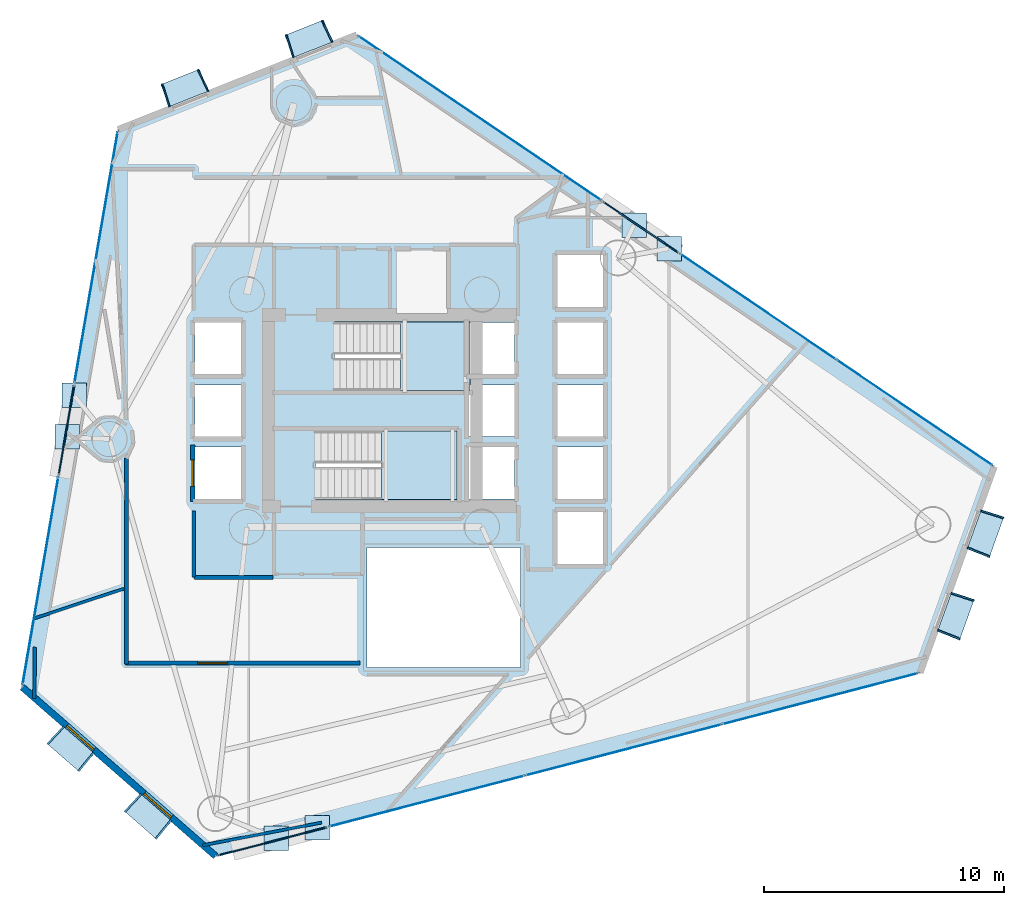
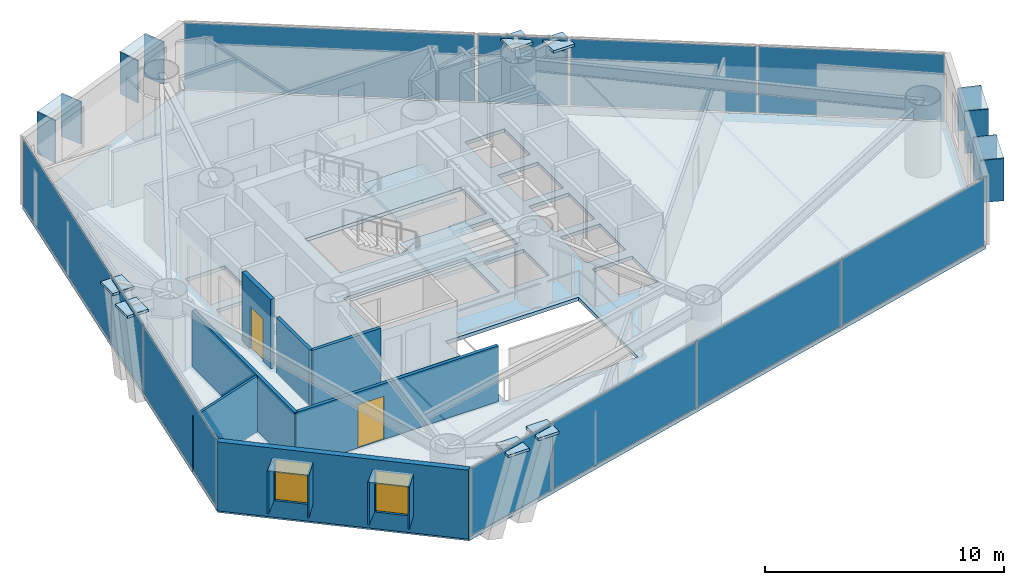
# One storey, part 15 of 21: 35 plates, 9 walls, 3 slabs, 2 doors, 2 windows, 4 openings, 10 elements without a shape of their own.
"""IFC4 building model written with IfcOpenShell, lengths in metres."""

from ifc_helpers import new_model, si_unit, direction, frame, frame_2d, origin, origin_2d, place, context, subcontext, project, spatial, polyline, rectangle, outline, extrude, material, layer, layer_set, type_object, element, fill, aggregate, save


model = new_model("IFC4")

# Units and contexts
model_context = context("Model", 3, precision=1e-05, world=origin(), true_north=direction((0.0, 1.0)))
body_context = subcontext(model_context, "Body", "Model", "MODEL_VIEW")
ifc_project = project(units=[si_unit("LENGTHUNIT", "METRE"), si_unit("AREAUNIT", "SQUARE_METRE"), si_unit("VOLUMEUNIT", "CUBIC_METRE"), si_unit("PLANEANGLEUNIT", "RADIAN"), si_unit("MASSUNIT", "GRAM", prefix="KILO")], contexts=[model_context])

# Site, building, storey
site_placement = place(None, origin())
site = spatial("IfcSite", under=ifc_project, at=site_placement, CompositionType="ELEMENT")
building_placement = place(site_placement, origin())
building = spatial("IfcBuilding", under=site, at=building_placement, Name="Qianvela Tower", CompositionType="ELEMENT")
storey_placement = place(building_placement, frame((0.0, 0.0, 105.199951171875)))
storey = spatial("IfcBuildingStorey", under=building, at=storey_placement, Name="L26", CompositionType="ELEMENT", Elevation=105.199951171875)

# Curtain wall, plate
ifc_material_1 = material(Name="Anodised Architectural Aluminium and Insulated Spandrel Panel", Category="aluminium")
ifc_layer_1 = layer(ifc_material_1, 0.179931640625)
ifc_layer_set_1 = layer_set([ifc_layer_1], Name="Anodised Architectural Aluminium and Insulated Spandrel Panel")
curtain_wall_type_1 = type_object("IfcCurtainWallType", Name="CW-BRACEBAY", PredefinedType="USERDEFINED", material=ifc_layer_set_1)
curtain_wall_1_placement = place(storey_placement, origin())
curtain_wall_1 = element("IfcCurtainWall", 1, at=curtain_wall_1_placement, inside=storey, type_object=curtain_wall_type_1, Name="L26 CW-BRACEBAY Curtain Wall 02B", ObjectType="CURTAIN_WALL_SYSTEM", PredefinedType="USERDEFINED")
ifc_material_2 = material(Name="Insulated Aluminium Spandrel Panel with Mineral-Wool Backpan", Category="aluminium")
ifc_layer_2 = layer(ifc_material_2, 0.06005859375)
ifc_layer_set_2 = layer_set([ifc_layer_2], Name="Insulated Aluminium Spandrel Panel with Mineral-Wool Backpan")
plate_type_1 = type_object("IfcPlateType", Name="CW-BRACEBAY-PNL", PredefinedType="CURTAIN_PANEL", material=ifc_layer_set_2)
plate_1_placement = place(storey_placement, frame((45.01806640625, 36.347412109375, 0.06494140625), z_axis=(0.0, 0.0, 1.0), x_axis=(-0.827935676106, 0.560823070345, 0.0)))
plate_1 = element("IfcPlate", 2, at=plate_1_placement, type_object=plate_type_1, Name="CW-9 panel 1.1", PredefinedType="CURTAIN_PANEL", context=body_context, shape_type="SweptSolid", body=[
    extrude(rectangle(XDim=3.75, YDim=0.06005859375, at=origin_2d()), origin(), (0.0, 0.0, 1.0), 3.389892578125),
])
aggregate(curtain_wall_1, [plate_1])

curtain_wall_2_placement = place(storey_placement, origin())
curtain_wall_2 = element("IfcCurtainWall", 3, at=curtain_wall_2_placement, inside=storey, type_object=curtain_wall_type_1, Name="L26 CW-BRACEBAY Curtain Wall 04B", ObjectType="CURTAIN_WALL_SYSTEM", PredefinedType="USERDEFINED")
plate_2_placement = place(storey_placement, frame((21.083984375, 27.8994140625, 0.06494140625), z_axis=(0.0, 0.0, 1.0), x_axis=(-0.169512472737, -0.985528042009, 0.0)))
plate_2 = element("IfcPlate", 4, at=plate_2_placement, type_object=plate_type_1, Name="CW-9 panel 1.1", PredefinedType="CURTAIN_PANEL", context=body_context, shape_type="SweptSolid", body=[
    extrude(rectangle(XDim=3.75, YDim=0.06005859375, at=origin_2d()), origin(), (0.0, 0.0, 1.0), 3.389892578125),
])
aggregate(curtain_wall_2, [plate_2])

curtain_wall_3_placement = place(storey_placement, origin())
curtain_wall_3 = element("IfcCurtainWall", 5, at=curtain_wall_3_placement, inside=storey, type_object=curtain_wall_type_1, Name="L26 CW-BRACEBAY Curtain Wall 06A", ObjectType="CURTAIN_WALL_SYSTEM", PredefinedType="USERDEFINED")
plate_3_placement = place(storey_placement, frame((29.667236328125, 10.751220703125, 0.06494140625), z_axis=(0.0, 0.0, 1.0), x_axis=(0.967742635152, 0.251940850417, 0.0)))
plate_3 = element("IfcPlate", 6, at=plate_3_placement, type_object=plate_type_1, Name="CW-9 panel 1.1", PredefinedType="CURTAIN_PANEL", context=body_context, shape_type="SweptSolid", body=[
    extrude(rectangle(XDim=4.659912109375, YDim=0.06005859375, at=origin_2d()), origin(), (0.0, 0.0, 1.0), 3.389892578125),
])
aggregate(curtain_wall_3, [plate_3])

# Curtain wall, plates
ifc_material_3 = material(Name="Anodised Architectural Aluminium and Low-E Glass", Category="aluminium")
ifc_layer_3 = layer(ifc_material_3, 0.169921875)
ifc_layer_set_3 = layer_set([ifc_layer_3], Name="Anodised Architectural Aluminium and Low-E Glass")
curtain_wall_type_2 = type_object("IfcCurtainWallType", Name="CW-COLIV-Z34", PredefinedType="USERDEFINED", material=ifc_layer_set_3)
curtain_wall_4_placement = place(storey_placement, origin())
curtain_wall_4 = element("IfcCurtainWall", 7, at=curtain_wall_4_placement, inside=storey, type_object=curtain_wall_type_2, Name="L26 CW-COLIV-Z34 Curtain Wall 02A", ObjectType="CURTAIN_WALL_SYSTEM", PredefinedType="USERDEFINED")
ifc_material_4 = material(Name="Double-Silver Low-E Insulated Glass", Category="glass")
ifc_layer_4 = layer(ifc_material_4, 0.028076171875)
ifc_layer_set_4 = layer_set([ifc_layer_4], Name="Double-Silver Low-E Insulated Glass")
plate_type_2 = type_object("IfcPlateType", Name="CW-COLIV-Z34-PNL", PredefinedType="CURTAIN_PANEL", material=ifc_layer_set_4)
plate_4_placement = place(storey_placement, frame((56.421875, 28.622802734375, 0.06494140625), z_axis=(0.0, 0.0, 1.0), x_axis=(-0.827933194748, 0.560826733524, 0.0)))
plate_4 = element("IfcPlate", 8, at=plate_4_placement, type_object=plate_type_2, Name="CW-4 panel 1.1", PredefinedType="CURTAIN_PANEL", context=body_context, shape_type="SweptSolid", body=[
    extrude(rectangle(XDim=7.802490234375, YDim=0.028076171875, at=origin_2d()), origin(), (0.0, 0.0, 1.0), 3.389892578125),
])
plate_5_placement = place(storey_placement, frame((49.908203125, 33.03515625, 0.06494140625), z_axis=(0.0, 0.0, 1.0), x_axis=(-0.827933194748, 0.560826733524, 0.0)))
plate_5 = element("IfcPlate", 9, at=plate_5_placement, type_object=plate_type_2, Name="CW-4 panel 2.1", PredefinedType="CURTAIN_PANEL", context=body_context, shape_type="SweptSolid", body=[
    extrude(rectangle(XDim=7.802490234375, YDim=0.028076171875, at=origin_2d()), origin(), (0.0, 0.0, 1.0), 3.389892578125),
])
aggregate(curtain_wall_4, [plate_4, plate_5])

# Curtain wall, plate
curtain_wall_5_placement = place(storey_placement, origin())
curtain_wall_5 = element("IfcCurtainWall", 10, at=curtain_wall_5_placement, inside=storey, type_object=curtain_wall_type_2, Name="L26 CW-COLIV-Z34 Curtain Wall 02C", ObjectType="CURTAIN_WALL_SYSTEM", PredefinedType="USERDEFINED")
plate_6_placement = place(storey_placement, frame((38.32080078125, 40.884033203125, 0.06494140625), z_axis=(0.0, 0.0, 1.0), x_axis=(-0.827933305316, 0.560826570295, 0.0)))
plate_6 = element("IfcPlate", 11, at=plate_6_placement, type_object=plate_type_2, Name="CW-4 panel 1.1", PredefinedType="CURTAIN_PANEL", context=body_context, shape_type="SweptSolid", body=[
    extrude(rectangle(XDim=12.16845703125, YDim=0.028076171875, at=origin_2d()), origin(), (0.0, 0.0, 1.0), 3.389892578125),
])
aggregate(curtain_wall_5, [plate_6])

curtain_wall_6_placement = place(storey_placement, origin())
curtain_wall_6 = element("IfcCurtainWall", 12, at=curtain_wall_6_placement, inside=storey, type_object=curtain_wall_type_2, Name="L26 CW-COLIV-Z34 Curtain Wall 04A", ObjectType="CURTAIN_WALL_SYSTEM", PredefinedType="USERDEFINED")
plate_7_placement = place(storey_placement, frame((22.320556640625, 35.0888671875, 0.06494140625), z_axis=(0.0, 0.0, 1.0), x_axis=(-0.169523566874, -0.985526133735, 0.0)))
plate_7 = element("IfcPlate", 13, at=plate_7_placement, type_object=plate_type_2, Name="CW-4 panel 1.1", PredefinedType="CURTAIN_PANEL", context=body_context, shape_type="SweptSolid", body=[
    extrude(rectangle(XDim=10.580078125, YDim=0.028076171875, at=origin_2d()), origin(), (0.0, 0.0, 1.0), 3.389892578125),
])
aggregate(curtain_wall_6, [plate_7])

curtain_wall_7_placement = place(storey_placement, origin())
curtain_wall_7 = element("IfcCurtainWall", 14, at=curtain_wall_7_placement, inside=storey, type_object=curtain_wall_type_2, Name="L26 CW-COLIV-Z34 Curtain Wall 04C", ObjectType="CURTAIN_WALL_SYSTEM", PredefinedType="USERDEFINED")
plate_8_placement = place(storey_placement, frame((20.001708984375, 21.60791015625, 0.06494140625), z_axis=(0.0, 0.0, 1.0), x_axis=(-0.16951996254, -0.985526753721, 0.0)))
plate_8 = element("IfcPlate", 15, at=plate_8_placement, type_object=plate_type_2, Name="CW-4 panel 1.1", PredefinedType="CURTAIN_PANEL", context=body_context, shape_type="SweptSolid", body=[
    extrude(rectangle(XDim=8.758056640625, YDim=0.028076171875, at=origin_2d()), origin(), (0.0, 0.0, 1.0), 3.389892578125),
])
aggregate(curtain_wall_7, [plate_8])

# Curtain wall, plates
curtain_wall_8_placement = place(storey_placement, origin())
curtain_wall_8 = element("IfcCurtainWall", 16, at=curtain_wall_8_placement, inside=storey, type_object=curtain_wall_type_2, Name="L26 CW-COLIV-Z34 Curtain Wall 06B", ObjectType="CURTAIN_WALL_SYSTEM", PredefinedType="USERDEFINED")
plate_9_placement = place(storey_placement, frame((36.1044921875, 12.42724609375, 0.06494140625), z_axis=(0.0, 0.0, 1.0), x_axis=(0.96774019745, 0.25195021381, 0.0)))
plate_9 = element("IfcPlate", 17, at=plate_9_placement, type_object=plate_type_2, Name="CW-4 panel 1.1", PredefinedType="CURTAIN_PANEL", context=body_context, shape_type="SweptSolid", body=[
    extrude(rectangle(XDim=8.3837890625, YDim=0.028076171875, at=origin_2d()), origin(), (0.0, 0.0, 1.0), 3.389892578125),
])
plate_10_placement = place(storey_placement, frame((44.29638671875, 14.559814453125, 0.06494140625), z_axis=(0.0, 0.0, 1.0), x_axis=(0.96774019745, 0.25195021381, 0.0)))
plate_10 = element("IfcPlate", 18, at=plate_10_placement, type_object=plate_type_2, Name="CW-4 panel 2.1", PredefinedType="CURTAIN_PANEL", context=body_context, shape_type="SweptSolid", body=[
    extrude(rectangle(XDim=8.416259765625, YDim=0.028076171875, at=origin_2d()), origin(), (0.0, 0.0, 1.0), 3.389892578125),
])
plate_11_placement = place(storey_placement, frame((52.488525390625, 16.692626953125, 0.06494140625), z_axis=(0.0, 0.0, 1.0), x_axis=(0.96774019745, 0.25195021381, 0.0)))
plate_11 = element("IfcPlate", 19, at=plate_11_placement, type_object=plate_type_2, Name="CW-4 panel 3.1", PredefinedType="CURTAIN_PANEL", context=body_context, shape_type="SweptSolid", body=[
    extrude(rectangle(XDim=8.3837890625, YDim=0.028076171875, at=origin_2d()), origin(), (0.0, 0.0, 1.0), 3.389892578125),
])
aggregate(curtain_wall_8, [plate_9, plate_10, plate_11])

# Plates
ifc_material_5 = material(Name="Steel Q420GJC", Category="steel")
ifc_layer_5 = layer(ifc_material_5, 0.1298828125)
ifc_layer_set_5 = layer_set([ifc_layer_5], Name="Steel Q420GJC")
plate_type_3 = type_object("IfcPlateType", Name="PT-ENDCAP-130", PredefinedType="USERDEFINED", material=ifc_layer_set_5)
for number, where, z_axis, x_axis, name in (
    (20, (46.202392578125, 35.448486328125, 3.209716796875), (0.0, 0.0, 1.0), (1.0, 0.0, 0.0), "L26 Hollow Section End Cap Plate B"),
    (21, (44.751220703125, 36.431640625, 3.209716796875), (0.0, 0.0, 1.0), (1.0, 0.0, 0.0), "L26 Hollow Section End Cap Plate B"),
    (22, (21.413330078125, 29.343017578125, 3.209716796875), (0.0, 0.0, 1.0), (1.0, 0.0, 0.0), "L26 Hollow Section End Cap Plate B"),
    (23, (21.1162109375, 27.61572265625, 3.209716796875), (0.0, 0.0, 1.0), (1.0, 0.0, 0.0), "L26 Hollow Section End Cap Plate B"),
    (24, (29.83056640625, 10.87646484375, 3.208984375), (0.0, 0.0, 1.0), (1.0, 0.0, 0.0), "L26 Hollow Section End Cap Plate B"),
    (25, (31.526611328125, 11.318115234375, 3.208984375), (0.0, 0.0, 1.0), (1.0, 0.0, 0.0), "L26 Hollow Section End Cap Plate B"),
):
    element("IfcPlate", number, at=place(storey_placement, frame(where, z_axis=z_axis, x_axis=x_axis)), inside=storey, type_object=plate_type_3, Name=name, ObjectType="END_CAP", PredefinedType="USERDEFINED", context=body_context, shape_type="SweptSolid", body=[
        extrude(rectangle(XDim=1.02001953125, YDim=1.02001953125, at=origin_2d()), origin(), (0.0, 0.0, 1.0), 0.1298828125),
    ])

# Slab
ifc_material_6 = material(Name="Concrete C40", Category="concrete")
ifc_layer_6 = layer(ifc_material_6, 0.179931640625)
ifc_layer_set_6 = layer_set([ifc_layer_6], Name="Concrete C40")
slab_type_1 = type_object("IfcSlabType", Name="SL-FLOOR-180", PredefinedType="FLOOR", material=ifc_layer_set_6)
slab_1_placement = place(storey_placement, frame((0.0, 0.0, -0.179931640625)))
element("IfcSlab", 26, at=slab_1_placement, inside=storey, type_object=slab_type_1, Name="L26 Composite Structural Floor Slab", PredefinedType="FLOOR", context=body_context, shape_type="SweptSolid", body=[
    extrude(outline(polyline([(56.656494140625, 17.77783203125), (59.7470703125, 26.370361328125), (33.188232421875, 44.36083984375), (23.23681640625, 40.41552734375), (19.239990234375, 17.1787109375), (27.301025390625, 10.13525390625), (56.656494140625, 17.77783203125)]), holes=[polyline([(40.0, 23.0), (33.60009765625, 23.0), (33.60009765625, 18.0), (40.0, 18.0), (40.0, 23.0)]), polyline([(28.360107421875, 25.02001953125), (28.360107421875, 27.179931640625), (26.43994140625, 27.179931640625), (26.43994140625, 25.02001953125), (28.360107421875, 25.02001953125)]), polyline([(37.35009765625, 25.0), (37.35009765625, 27.860107421875), (31.469970703125, 27.860107421875), (31.469970703125, 25.0), (37.35009765625, 25.0)]), polyline([(28.360107421875, 27.6201171875), (28.360107421875, 29.780029296875), (26.43994140625, 29.780029296875), (26.43994140625, 27.6201171875), (28.360107421875, 27.6201171875)]), polyline([(37.89990234375, 32.3798828125), (37.89990234375, 32.39990234375), (32.25, 32.39990234375), (32.25, 29.5400390625), (37.840087890625, 29.5400390625), (37.840087890625, 27.6201171875), (39.760009765625, 27.6201171875), (39.760009765625, 29.780029296875), (37.89990234375, 29.780029296875), (37.89990234375, 30.219970703125), (39.760009765625, 30.219970703125), (39.760009765625, 32.3798828125), (37.89990234375, 32.3798828125)]), polyline([(28.360107421875, 30.219970703125), (28.360107421875, 32.3798828125), (26.43994140625, 32.3798828125), (26.43994140625, 30.219970703125), (28.360107421875, 30.219970703125)]), polyline([(43.4599609375, 24.47998046875), (41.5400390625, 24.47998046875), (41.5400390625, 22.320068359375), (43.4599609375, 22.320068359375), (43.4599609375, 24.47998046875)]), polyline([(39.760009765625, 25.02001953125), (39.760009765625, 27.179931640625), (37.840087890625, 27.179931640625), (37.840087890625, 25.02001953125), (39.760009765625, 25.02001953125)]), polyline([(43.4599609375, 25.02001953125), (43.4599609375, 27.179931640625), (41.5400390625, 27.179931640625), (41.5400390625, 25.02001953125), (43.4599609375, 25.02001953125)]), polyline([(43.4599609375, 27.6201171875), (43.4599609375, 29.780029296875), (41.5400390625, 29.780029296875), (41.5400390625, 27.6201171875), (43.4599609375, 27.6201171875)]), polyline([(43.4599609375, 30.219970703125), (43.4599609375, 32.3798828125), (41.5400390625, 32.3798828125), (41.5400390625, 30.219970703125), (43.4599609375, 30.219970703125)]), polyline([(43.4599609375, 33.02001953125), (43.4599609375, 35.179931640625), (41.5400390625, 35.179931640625), (41.5400390625, 33.02001953125), (43.4599609375, 33.02001953125)])]), origin(), (0.0, 0.0, 1.0), 0.179931640625),
])

# Stair, slab
ifc_material_7 = material(Name="Concrete C40", Category="concrete")
stair_type = type_object("IfcStairType", Name="ST-DOGLEG-1350-R168-N22", PredefinedType="HALF_TURN_STAIR", material=ifc_material_7)
stair_1_placement = place(storey_placement, origin())
stair_1 = element("IfcStair", 27, at=stair_1_placement, inside=storey, type_object=stair_type, Name="L26 Smoke-Proof Core Stair ST-1", PredefinedType="HALF_TURN_STAIR")
ifc_material_8 = material(Name="Concrete C40", Category="concrete")
ifc_layer_7 = layer(ifc_material_8, 0.199951171875)
ifc_layer_set_7 = layer_set([ifc_layer_7], Name="Concrete C40")
slab_type_2 = type_object("IfcSlabType", Name="SL-STAIR-LANDING-200", PredefinedType="LANDING", material=ifc_layer_set_7)
slab_2_placement = place(storey_placement, frame((0.0, 0.0, 1.650146484375)))
slab_2 = element("IfcSlab", 28, at=slab_2_placement, type_object=slab_type_2, Name="ST-1 landing 1", PredefinedType="LANDING", context=body_context, shape_type="SweptSolid", body=[
    extrude(outline(polyline([(35.0, 29.5400390625), (37.89990234375, 29.5400390625), (37.89990234375, 32.39990234375), (35.0, 32.39990234375), (35.0, 29.5400390625)])), origin(), (0.0, 0.0, 1.0), 0.199951171875),
])
aggregate(stair_1, [slab_2])

stair_2_placement = place(storey_placement, origin())
stair_2 = element("IfcStair", 29, at=stair_2_placement, inside=storey, type_object=stair_type, Name="L26 Smoke-Proof Core Stair ST-2", PredefinedType="HALF_TURN_STAIR")
slab_3_placement = place(storey_placement, frame((0.0, 0.0, 1.650146484375)))
slab_3 = element("IfcSlab", 30, at=slab_3_placement, type_object=slab_type_2, Name="ST-2 landing 1", PredefinedType="LANDING", context=body_context, shape_type="SweptSolid", body=[
    extrude(outline(polyline([(34.219970703125, 25.0), (37.35009765625, 25.0), (37.35009765625, 27.860107421875), (34.219970703125, 27.860107421875), (34.219970703125, 25.0)])), origin(), (0.0, 0.0, 1.0), 0.199951171875),
])
aggregate(stair_2, [slab_3])

# Plates
ifc_material_9 = material(Name="Vitrified Architectural Terracotta Panel", Category="masonry")
ifc_layer_8 = layer(ifc_material_9, 0.06005859375)
ifc_layer_set_8 = layer_set([ifc_layer_8], Name="Vitrified Architectural Terracotta Panel")
plate_type_4 = type_object("IfcPlateType", Name="TERRACOTTA-SUNSHADE-HOOD-FOLD-A", PredefinedType="USERDEFINED", material=ifc_layer_set_8)
for number, where, z_axis, x_axis, name in (
    (31, (31.17333984375, 44.2021484375, 2.9599609375), (0.0, 0.0, 1.0), (-0.929609983774, -0.368544811479, 0.0), "L26 Terracotta Sunshade Hood FOLD-A"),
    (32, (26.0029296875, 42.15234375, 2.9599609375), (0.0, 0.0, 1.0), (-0.929609983774, -0.368544811479, 0.0), "L26 Terracotta Sunshade Hood FOLD-A"),
):
    element("IfcPlate", number, at=place(storey_placement, frame(where, z_axis=z_axis, x_axis=x_axis)), inside=storey, type_object=plate_type_4, Name=name, ObjectType="SUNSHADE", PredefinedType="USERDEFINED", context=body_context, shape_type="SweptSolid", body=[
        extrude(rectangle(XDim=1.739990234375, YDim=0.989990234375, at=origin_2d()), origin(), (0.0, 0.0, 1.0), 0.06005859375),
    ])
ifc_material_10 = material(Name="Vitrified Architectural Terracotta Panel", Category="masonry")
ifc_layer_9 = layer(ifc_material_10, 0.070068359375)
ifc_layer_set_9 = layer_set([ifc_layer_9], Name="Vitrified Architectural Terracotta Panel")
plate_type_5 = type_object("IfcPlateType", Name="TERRACOTTA-SUNSHADE-HOOD-FOLD-C", PredefinedType="USERDEFINED", material=ifc_layer_set_9)
for number, where, z_axis, x_axis, name in (
    (33, (58.1435546875, 20.154296875, 2.9599609375), (0.0, 0.0, 1.0), (0.338463667357, 0.940979460923, 0.0), "L26 Terracotta Sunshade Hood FOLD-C"),
    (34, (59.3798828125, 23.59130859375, 2.9599609375), (0.0, 0.0, 1.0), (0.338463667357, 0.940979460923, 0.0), "L26 Terracotta Sunshade Hood FOLD-C"),
    (35, (21.2666015625, 14.61767578125, 2.9599609375), (0.0, 0.0, 1.0), (0.753033078035, -0.657982661919, 0.0), "L26 Terracotta Sunshade Hood FOLD-C"),
    (36, (24.4912109375, 11.80029296875, 2.9599609375), (0.0, 0.0, 1.0), (0.753033078035, -0.657982661919, 0.0), "L26 Terracotta Sunshade Hood FOLD-C"),
):
    element("IfcPlate", number, at=place(storey_placement, frame(where, z_axis=z_axis, x_axis=x_axis)), inside=storey, type_object=plate_type_5, Name=name, ObjectType="SUNSHADE", PredefinedType="USERDEFINED", context=body_context, shape_type="SweptSolid", body=[
        extrude(rectangle(XDim=1.739990234375, YDim=0.989990234375, at=origin_2d()), origin(), (0.0, 0.0, 1.0), 0.06005859375),
    ])
ifc_material_11 = material(Name="Vitrified Architectural Terracotta Side Fin Panel", Category="masonry")
ifc_layer_10 = layer(ifc_material_11, 0.06494140625)
ifc_layer_set_10 = layer_set([ifc_layer_10], Name="Vitrified Architectural Terracotta Side Fin Panel")
plate_type_6 = type_object("IfcPlateType", Name="TERRACOTTA-SUNSHADE-STRUT-FOLD-A", PredefinedType="USERDEFINED", material=ifc_layer_set_10)
for number, where, z_axis, x_axis, name in (
    (37, (31.954345703125, 44.51171875, 0.85009765625), (0.0, 0.0, 1.0), (-0.90163711411, -0.432493369266, 0.0), "L26 Terracotta Sunshade Side Fin HL FOLD-A"),
    (38, (30.392578125, 43.892578125, 0.85009765625), (0.0, 0.0, 1.0), (-0.953053887041, -0.302800740415, 0.0), "L26 Terracotta Sunshade Side Fin HR FOLD-A"),
    (39, (26.783935546875, 42.4619140625, 0.85009765625), (0.0, 0.0, 1.0), (-0.90163711411, -0.432493369266, 0.0), "L26 Terracotta Sunshade Side Fin HL FOLD-A"),
    (40, (25.22216796875, 41.8427734375, 0.85009765625), (0.0, 0.0, 1.0), (-0.953053887041, -0.302800740415, 0.0), "L26 Terracotta Sunshade Side Fin HR FOLD-A"),
):
    element("IfcPlate", number, at=place(storey_placement, frame(where, z_axis=z_axis, x_axis=x_axis)), inside=storey, type_object=plate_type_6, Name=name, ObjectType="SUNSHADE", PredefinedType="USERDEFINED", context=body_context, shape_type="SweptSolid", body=[
        extrude(rectangle(XDim=0.06494140625, YDim=1.010009765625, at=origin_2d()), origin(), (0.0, 0.0, 1.0), 2.159912109375),
    ])
ifc_material_12 = material(Name="Vitrified Architectural Terracotta Side Fin Panel", Category="masonry")
ifc_layer_11 = layer(ifc_material_12, 0.074951171875)
ifc_layer_set_11 = layer_set([ifc_layer_11], Name="Vitrified Architectural Terracotta Side Fin Panel")
plate_type_7 = type_object("IfcPlateType", Name="TERRACOTTA-SUNSHADE-STRUT-FOLD-C", PredefinedType="USERDEFINED", material=ifc_layer_set_11)
for number, where, z_axis, x_axis, name in (
    (41, (57.859130859375, 19.36376953125, 0.85009765625), (0.0, 0.0, 1.0), (0.371097194029, 0.928594030017, 0.0), "L26 Terracotta Sunshade Side Fin HL FOLD-C"),
    (42, (58.427734375, 20.944580078125, 0.85009765625), (0.0, 0.0, 1.0), (0.305417774842, 0.952218453303, 0.0), "L26 Terracotta Sunshade Side Fin HR FOLD-C"),
    (43, (59.095458984375, 22.80078125, 0.85009765625), (0.0, 0.0, 1.0), (0.371097194029, 0.928594030017, 0.0), "L26 Terracotta Sunshade Side Fin HL FOLD-C"),
    (44, (59.6640625, 24.381591796875, 0.85009765625), (0.0, 0.0, 1.0), (0.305417774842, 0.952218453303, 0.0), "L26 Terracotta Sunshade Side Fin HR FOLD-C"),
    (45, (20.63427734375, 15.17041015625, 0.85009765625), (0.0, 0.0, 1.0), (0.72961108689, -0.683862312083, 0.0), "L26 Terracotta Sunshade Side Fin HL FOLD-C"),
    (46, (21.8994140625, 14.06494140625, 0.85009765625), (0.0, 0.0, 1.0), (0.77553761437, -0.631301361235, 0.0), "L26 Terracotta Sunshade Side Fin HR FOLD-C"),
    (47, (23.858642578125, 12.352783203125, 0.85009765625), (0.0, 0.0, 1.0), (0.72961108689, -0.683862312083, 0.0), "L26 Terracotta Sunshade Side Fin HL FOLD-C"),
    (48, (25.123779296875, 11.24755859375, 0.85009765625), (0.0, 0.0, 1.0), (0.77553761437, -0.631301361235, 0.0), "L26 Terracotta Sunshade Side Fin HR FOLD-C"),
):
    element("IfcPlate", number, at=place(storey_placement, frame(where, z_axis=z_axis, x_axis=x_axis)), inside=storey, type_object=plate_type_7, Name=name, ObjectType="SUNSHADE", PredefinedType="USERDEFINED", context=body_context, shape_type="SweptSolid", body=[
        extrude(rectangle(XDim=0.074951171875, YDim=1.010009765625, at=origin_2d()), origin(), (0.0, 0.0, 1.0), 2.159912109375),
    ])

# Wall, openings, windows
ifc_material_13 = material(Name="Terracotta Cladding on Concrete C40", Category="masonry")
ifc_layer_12 = layer(ifc_material_13, 0.280029296875)
ifc_layer_set_12 = layer_set([ifc_layer_12], Name="Terracotta Cladding on Concrete C40")
wall_type_1 = type_object("IfcWallType", Name="TERRACOTTA-WALL-280", PredefinedType="SOLIDWALL", material=ifc_layer_set_12)
wall_1_placement = place(storey_placement, frame((19.239990234375, 17.1787109375, 0.0), z_axis=(0.0, 0.0, 1.0), x_axis=(0.753037088213, -0.657978072413, 0.0)))
wall_1 = element("IfcWall", 49, at=wall_1_placement, inside=storey, type_object=wall_type_1, Name="L26 Terracotta Chamfer Facet Wall 5", PredefinedType="SOLIDWALL", context=body_context, shape_type="SweptSolid", body=[
    extrude(rectangle(XDim=10.70458984375, YDim=0.280029296875, at=frame_2d((5.352294921875, 0.0))), origin(), (0.0, 0.0, 1.0), 3.52001953125),
])
opening_1_placement = place(wall_1_placement, frame((2.46142578125, 0.0, 0.85009765625)))
opening_1 = element("IfcOpeningElement", 50, at=opening_1_placement, cuts=wall_1, Name="Opening W-02", PredefinedType="OPENING", context=body_context, shape_type="SweptSolid", body=[
    extrude(rectangle(XDim=1.5, YDim=2.10009765625, at=frame_2d((0.75, 1.050048828125))), frame((0.0, 0.14990234375, 0.0), z_axis=(0.0, -1.0, 0.0), x_axis=(1.0, 0.0, 0.0)), (0.0, 0.0, 1.0), 0.300048828125),
])
opening_2_placement = place(wall_1_placement, frame((6.743408203125, 0.0, 0.85009765625)))
opening_2 = element("IfcOpeningElement", 51, at=opening_2_placement, cuts=wall_1, Name="Opening W-02", PredefinedType="OPENING", context=body_context, shape_type="SweptSolid", body=[
    extrude(rectangle(XDim=1.5, YDim=2.10009765625, at=frame_2d((0.75, 1.050048828125))), frame((0.0, 0.14990234375, 0.0), z_axis=(0.0, -1.0, 0.0), x_axis=(1.0, 0.0, 0.0)), (0.0, 0.0, 1.0), 0.300048828125),
])
ifc_material_14 = material(Name="Thermally Broken Aluminium and Low-E Glass", Category="aluminium")
window_type = type_object("IfcWindowType", Name="WIN-TC-1500x2100", PartitioningType="DOUBLE_PANEL_VERTICAL", PredefinedType="WINDOW", material=ifc_material_14)
window_1_placement = place(opening_1_placement, origin())
window_1 = element("IfcWindow", 52, at=window_1_placement, inside=storey, type_object=window_type, Name="L26 Chamfer Facet Window 5.1", OverallHeight=2.10009765625, OverallWidth=1.5, PartitioningType="SINGLE_PANEL", PredefinedType="WINDOW", context=body_context, shape_type="SweptSolid", body=[
    extrude(rectangle(XDim=1.5, YDim=2.10009765625, at=frame_2d((0.75, 1.050048828125))), frame((0.0, 0.030029296875, 0.0), z_axis=(0.0, -1.0, 0.0), x_axis=(1.0, 0.0, 0.0)), (0.0, 0.0, 1.0), 0.06005859375),
])
fill(opening_1, window_1)
window_2_placement = place(opening_2_placement, origin())
window_2 = element("IfcWindow", 53, at=window_2_placement, inside=storey, type_object=window_type, Name="L26 Chamfer Facet Window 5.2", OverallHeight=2.10009765625, OverallWidth=1.5, PartitioningType="SINGLE_PANEL", PredefinedType="WINDOW", context=body_context, shape_type="SweptSolid", body=[
    extrude(rectangle(XDim=1.5, YDim=2.10009765625, at=frame_2d((0.75, 1.050048828125))), frame((0.0, 0.030029296875, 0.0), z_axis=(0.0, -1.0, 0.0), x_axis=(1.0, 0.0, 0.0)), (0.0, 0.0, 1.0), 0.06005859375),
])
fill(opening_2, window_2)

# Walls
ifc_material_15 = material(Name="Fire-Rated Gypsum and Concrete Block", Category="concrete")
ifc_layer_13 = layer(ifc_material_15, 0.159912109375)
ifc_layer_set_13 = layer_set([ifc_layer_13], Name="Fire-Rated Gypsum and Concrete Block")
wall_type_2 = type_object("IfcWallType", Name="WT-CORR-160", PredefinedType="PARTITIONING", material=ifc_layer_set_13)
wall_2_placement = place(storey_placement, frame((26.388916015625, 24.530517578125, 0.0), z_axis=(0.0, 0.0, 1.0), x_axis=(0.0, -1.0, 0.0)))
element("IfcWall", 54, at=wall_2_placement, inside=storey, type_object=wall_type_2, Name="L26 Partition 49", PredefinedType="PARTITIONING", context=body_context, shape_type="SweptSolid", body=[
    extrude(rectangle(XDim=2.75048828125, YDim=0.159912109375, at=frame_2d((1.375244140625, 0.0))), origin(), (0.0, 0.0, 1.0), 2.840087890625),
])
wall_3_placement = place(storey_placement, frame((26.419921875, 21.7490234375, 0.0), z_axis=(0.0, 0.0, 1.0), x_axis=(1.0, 0.0, 0.0)))
element("IfcWall", 55, at=wall_3_placement, inside=storey, type_object=wall_type_2, Name="L26 Partition 50 seg 1", PredefinedType="PARTITIONING", context=body_context, shape_type="SweptSolid", body=[
    extrude(rectangle(XDim=3.280029296875, YDim=0.159912109375, at=frame_2d((1.64013671875, 0.0))), origin(), (0.0, 0.0, 1.0), 2.840087890625),
])

# Wall, opening, door
wall_4_placement = place(storey_placement, frame((33.320068359375, 18.180908203125, 0.0), z_axis=(0.0, 0.0, 1.0), x_axis=(-1.0, 0.0, 0.0)))
wall_4 = element("IfcWall", 56, at=wall_4_placement, inside=storey, type_object=wall_type_2, Name="L26 Partition 51", PredefinedType="PARTITIONING", context=body_context, shape_type="SweptSolid", body=[
    extrude(rectangle(XDim=9.77001953125, YDim=0.159912109375, at=frame_2d((4.885009765625, 0.0))), origin(), (0.0, 0.0, 1.0), 2.840087890625),
])
opening_3_placement = place(wall_4_placement, frame((5.52001953125, 0.0, 0.0)))
opening_3 = element("IfcOpeningElement", 57, at=opening_3_placement, cuts=wall_4, Name="Opening D-LG1", PredefinedType="OPENING", context=body_context, shape_type="SweptSolid", body=[
    extrude(rectangle(XDim=1.25, YDim=2.199951171875, at=frame_2d((0.625, 1.10009765625))), frame((0.0, 0.08984375, 0.0), z_axis=(0.0, -1.0, 0.0), x_axis=(1.0, 0.0, 0.0)), (0.0, 0.0, 1.0), 0.179931640625),
])
ifc_material_16 = material(Name="Anodised Aluminium Acoustic Glass Door", Category="aluminium")
door_type_1 = type_object("IfcDoorType", Name="DT-LOUNGE-1250", OperationType="NOTDEFINED", PredefinedType="DOOR", material=ifc_material_16)
door_1_placement = place(opening_3_placement, origin())
door_1 = element("IfcDoor", 58, at=door_1_placement, inside=storey, type_object=door_type_1, Name="L26 Door Collaborative Co-working Office L26-01A to L26 Floor Corridor", OperationType="SINGLE_SWING_LEFT", OverallHeight=2.199951171875, OverallWidth=1.25, PredefinedType="DOOR", context=body_context, shape_type="SweptSolid", body=[
    extrude(rectangle(XDim=1.25, YDim=2.199951171875, at=frame_2d((0.625, 1.10009765625))), frame((0.0, 0.02490234375, 0.0), z_axis=(0.0, -1.0, 0.0), x_axis=(1.0, 0.0, 0.0)), (0.0, 0.0, 1.0), 0.050048828125),
])
fill(opening_3, door_1)

# Walls
wall_5_placement = place(storey_placement, frame((23.5810546875, 18.14990234375, 0.0), z_axis=(0.0, 0.0, 1.0), x_axis=(0.0, 1.0, 0.0)))
element("IfcWall", 59, at=wall_5_placement, inside=storey, type_object=wall_type_2, Name="L26 Partition 52", PredefinedType="PARTITIONING", context=body_context, shape_type="SweptSolid", body=[
    extrude(rectangle(XDim=8.575439453125, YDim=0.159912109375, at=frame_2d((4.28759765625, 0.0))), origin(), (0.0, 0.0, 1.0), 2.840087890625),
])
ifc_material_17 = material(Name="Insulated Gypsum Stud Partition")
ifc_layer_14 = layer(ifc_material_17, 0.1201171875)
ifc_layer_set_14 = layer_set([ifc_layer_14], Name="Insulated Gypsum Stud Partition")
wall_type_3 = type_object("IfcWallType", Name="WT-PART-120", PredefinedType="PARTITIONING", material=ifc_layer_set_14)
wall_6_placement = place(storey_placement, frame((31.7158203125, 11.532470703125, 0.0), z_axis=(0.0, 0.0, 1.0), x_axis=(-0.982373684586, -0.186927643311, 0.0)))
element("IfcWall", 60, at=wall_6_placement, inside=storey, type_object=wall_type_3, Name="L26 Partition 58 seg 1", PredefinedType="PARTITIONING", context=body_context, shape_type="SweptSolid", body=[
    extrude(rectangle(XDim=5.0478515625, YDim=0.1201171875, at=frame_2d((2.52392578125, 0.0))), origin(), (0.0, 0.0, 1.0), 2.840087890625),
])
wall_7_placement = place(storey_placement, frame((19.713134765625, 20.0341796875, 0.0), z_axis=(0.0, 0.0, 1.0), x_axis=(0.949321292103, 0.314307308793, 0.0)))
element("IfcWall", 61, at=wall_7_placement, inside=storey, type_object=wall_type_3, Name="L26 Partition 61", PredefinedType="PARTITIONING", context=body_context, shape_type="SweptSolid", body=[
    extrude(rectangle(XDim=3.9677734375, YDim=0.1201171875, at=frame_2d((1.98388671875, 0.0))), origin(), (0.0, 0.0, 1.0), 2.840087890625),
])
ifc_material_18 = material(Name="Acoustic Double Gypsum Stud Partition")
ifc_layer_15 = layer(ifc_material_18, 0.139892578125)
ifc_layer_set_15 = layer_set([ifc_layer_15], Name="Acoustic Double Gypsum Stud Partition")
wall_type_4 = type_object("IfcWallType", Name="WT-ROOM-140", PredefinedType="PARTITIONING", material=ifc_layer_set_15)
wall_8_placement = place(storey_placement, frame((19.74462890625, 16.715087890625, 0.0), z_axis=(0.0, 0.0, 1.0), x_axis=(0.011705843153, 0.999931484271, 0.0)))
element("IfcWall", 62, at=wall_8_placement, inside=storey, type_object=wall_type_4, Name="L26 Partition 60 seg 1", PredefinedType="PARTITIONING", context=body_context, shape_type="SweptSolid", body=[
    extrude(rectangle(XDim=2.12744140625, YDim=0.139892578125, at=frame_2d((1.063720703125, 0.0))), origin(), (0.0, 0.0, 1.0), 2.840087890625),
])

# Wall, opening, door
ifc_material_19 = material(Name="Concrete C50", Category="concrete")
ifc_layer_16 = layer(ifc_material_19, 0.199951171875)
ifc_layer_set_16 = layer_set([ifc_layer_16], Name="Concrete C50")
wall_type_5 = type_object("IfcWallType", Name="WT-SHAFT-200", PredefinedType="SOLIDWALL", material=ifc_layer_set_16)
wall_9_placement = place(storey_placement, frame((26.35009765625, 24.919921875, 0.0), z_axis=(0.0, 0.0, 1.0), x_axis=(0.0, 1.0, 0.0)))
wall_9 = element("IfcWall", 63, at=wall_9_placement, inside=storey, type_object=wall_type_5, Name="L26 Lift PL-L3 W Shaft Wall", PredefinedType="SOLIDWALL", context=body_context, shape_type="SweptSolid", body=[
    extrude(rectangle(XDim=2.360107421875, YDim=0.199951171875, at=frame_2d((1.18017578125, 0.0))), origin(), (0.0, 0.0, 1.0), 3.52001953125),
])
opening_4_placement = place(wall_9_placement, frame((0.6298828125, 0.0, 0.0)))
opening_4 = element("IfcOpeningElement", 64, at=opening_4_placement, cuts=wall_9, Name="Opening LD-01", PredefinedType="OPENING", context=body_context, shape_type="SweptSolid", body=[
    extrude(rectangle(XDim=1.10009765625, YDim=2.14990234375, at=frame_2d((0.550048828125, 1.074951171875))), frame((0.0, 0.10986328125, 0.0), z_axis=(0.0, -1.0, 0.0), x_axis=(1.0, 0.0, 0.0)), (0.0, 0.0, 1.0), 0.219970703125),
])
ifc_material_20 = material(Name="Brushed Stainless Steel Lift Landing Door", Category="steel")
door_type_2 = type_object("IfcDoorType", Name="DT-LIFT-SLIDE-1100", OperationType="SLIDING_TO_LEFT", PredefinedType="DOOR", material=ifc_material_20)
door_2_placement = place(opening_4_placement, origin())
door_2 = element("IfcDoor", 65, at=door_2_placement, inside=storey, type_object=door_type_2, Name="L26 Lift PL-L3 Sliding Landing Door", OperationType="SLIDING_TO_LEFT", OverallHeight=2.14990234375, OverallWidth=1.10009765625, PredefinedType="DOOR", context=body_context, shape_type="SweptSolid", body=[
    extrude(rectangle(XDim=1.10009765625, YDim=2.14990234375, at=frame_2d((0.550048828125, 1.074951171875))), frame((0.0, 0.02490234375, 0.0), z_axis=(0.0, -1.0, 0.0), x_axis=(1.0, 0.0, 0.0)), (0.0, 0.0, 1.0), 0.050048828125),
])
fill(opening_4, door_2)

save(model, "model.ifc")
